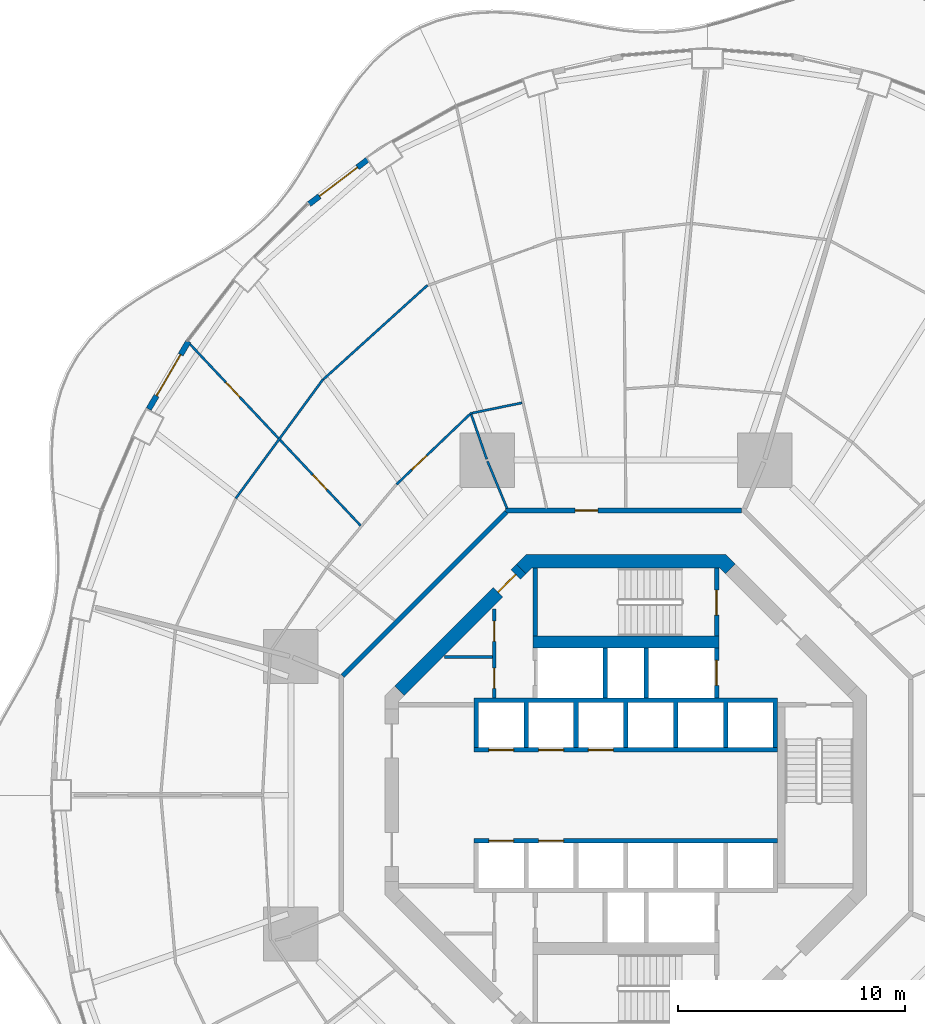
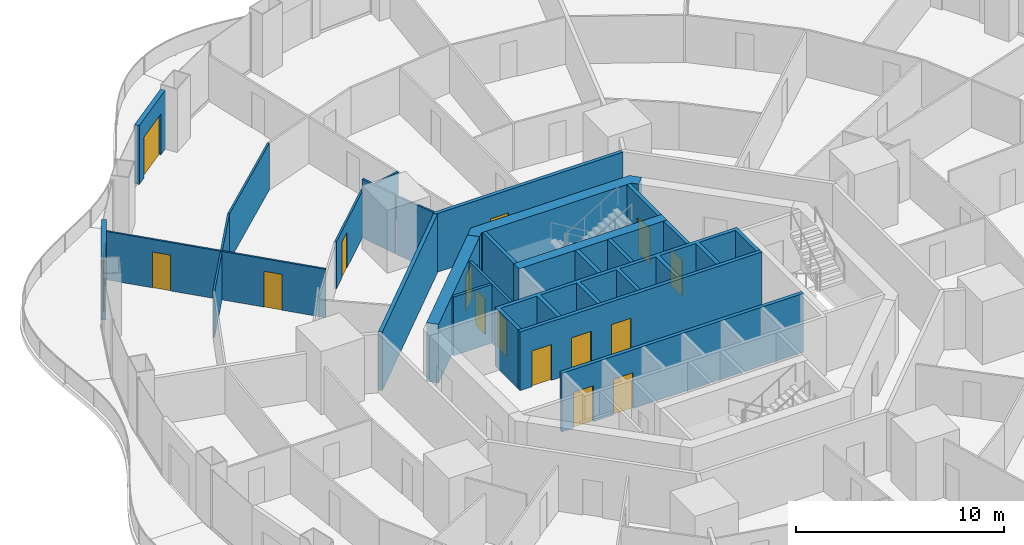
# One storey, part 17 of 22: 24 walls, 16 doors, 16 openings.
"""IFC4 building model written with IfcOpenShell, lengths in metres."""

from ifc_helpers import new_model, si_unit, direction, frame, frame_2d, origin, place, context, subcontext, project, spatial, polyline, rectangle, outline, extrude, material, layer, layer_set, type_object, element, fill, save


model = new_model("IFC4")

# Units and contexts
model_context = context("Model", 3, precision=1e-05, world=origin(), true_north=direction((0.0, 1.0)))
body_context = subcontext(model_context, "Body", "Model", "MODEL_VIEW")
ifc_project = project(units=[si_unit("LENGTHUNIT", "METRE"), si_unit("AREAUNIT", "SQUARE_METRE"), si_unit("VOLUMEUNIT", "CUBIC_METRE"), si_unit("PLANEANGLEUNIT", "RADIAN"), si_unit("MASSUNIT", "GRAM", prefix="KILO")], contexts=[model_context])

# Site, building, storey
site_placement = place(None, origin())
site = spatial("IfcSite", under=ifc_project, at=site_placement, CompositionType="ELEMENT")
building_placement = place(site_placement, origin())
building = spatial("IfcBuilding", under=site, at=building_placement, Name="Nagisa Residences", CompositionType="ELEMENT")
storey_placement = place(building_placement, frame((0.0, 0.0, 30.699951171875)))
storey = spatial("IfcBuildingStorey", under=building, at=storey_placement, Name="L06", CompositionType="ELEMENT", Elevation=30.699951171875)

# Wall, opening, door
ifc_material_1 = material(Name="Gypsum board on steel studs", Category="steel")
ifc_layer_1 = layer(ifc_material_1, 0.199951171875)
ifc_layer_set_1 = layer_set([ifc_layer_1], Name="Apartment entry wall EI60 200")
wall_type_1 = type_object("IfcWallType", Name="Apartment entry wall EI60 200", PredefinedType="PARTITIONING", material=ifc_layer_set_1)
wall_1_placement = place(storey_placement, frame((5.1044921875, 12.564697265625, 0.0), z_axis=(0.0, 0.0, 1.0), x_axis=(-1.0, 0.0, 0.0)))
wall_1 = element("IfcWall", 1, at=wall_1_placement, inside=storey, type_object=wall_type_1, Name="wall:L06:u10", PredefinedType="PARTITIONING", context=body_context, shape_type="SweptSolid", body=[
    extrude(rectangle(XDim=10.408935546875, YDim=0.199951171875, at=frame_2d((5.20458984375, 0.0))), origin(), (0.0, 0.0, 1.0), 3.43994140625),
])
opening_1_placement = place(wall_1_placement, frame((6.33935546875, 0.0, 0.0)))
opening_1 = element("IfcOpeningElement", 2, at=opening_1_placement, cuts=wall_1, Name="Opening L06-U15", PredefinedType="OPENING", context=body_context, shape_type="SweptSolid", body=[
    extrude(rectangle(XDim=1.0, YDim=2.10009765625, at=frame_2d((0.5, 1.050048828125))), frame((0.0, 0.10986328125, 0.0), z_axis=(0.0, -1.0, 0.0), x_axis=(1.0, 0.0, 0.0)), (0.0, 0.0, 1.0), 0.219970703125),
])
ifc_material_2 = material(Name="Timber fire door set", Category="wood")
door_type_1 = type_object("IfcDoorType", Name="Apartment entry door FD30S 1000x2100", OperationType="NOTDEFINED", PredefinedType="DOOR", material=ifc_material_2)
door_1_placement = place(opening_1_placement, frame((1.0, 0.0, 0.0), x_axis=(-1.0, 0.0, 0.0)))
door_1 = element("IfcDoor", 3, at=door_1_placement, inside=storey, type_object=door_type_1, Name="Entry door, Apartment 06B", OperationType="SINGLE_SWING_RIGHT", OverallHeight=2.10009765625, OverallWidth=1.0, PredefinedType="DOOR", context=body_context, shape_type="SweptSolid", body=[
    extrude(rectangle(XDim=1.0, YDim=2.10009765625, at=frame_2d((0.5, 1.050048828125))), frame((0.0, 0.02490234375, 0.0), z_axis=(0.0, -1.0, 0.0), x_axis=(1.0, 0.0, 0.0)), (0.0, 0.0, 1.0), 0.050048828125),
])
fill(opening_1, door_1)

# Walls
wall_2_placement = place(storey_placement, frame((-5.275146484375, 12.494140625, 0.0), z_axis=(0.0, 0.0, 1.0), x_axis=(-0.707106781187, -0.707106781187, 0.0)))
element("IfcWall", 4, at=wall_2_placement, inside=storey, type_object=wall_type_1, Name="wall:L06:u11", PredefinedType="PARTITIONING", context=body_context, shape_type="SweptSolid", body=[
    extrude(rectangle(XDim=10.209228515625, YDim=0.199951171875, at=frame_2d((5.1044921875, 0.0))), origin(), (0.0, 0.0, 1.0), 3.43994140625),
])
ifc_material_3 = material(Name="Gypsum board on steel studs", Category="steel")
ifc_layer_2 = layer(ifc_material_3, 0.10009765625)
ifc_layer_set_2 = layer_set([ifc_layer_2], Name="Apartment partition 100")
wall_type_2 = type_object("IfcWallType", Name="Apartment partition 100", PredefinedType="PARTITIONING", material=ifc_layer_set_2)
wall_3_placement = place(storey_placement, frame((-4.580322265625, 17.315185546875, 0.0), z_axis=(0.0, 0.0, 1.0), x_axis=(-0.979581941859, -0.201045316246, 0.0)))
element("IfcWall", 5, at=wall_3_placement, inside=storey, type_object=wall_type_2, Name="wall:L06:u45", PredefinedType="PARTITIONING", context=body_context, shape_type="SweptSolid", body=[
    extrude(rectangle(XDim=2.25634765625, YDim=0.10009765625, at=frame_2d((1.128173828125, 0.0))), origin(), (0.0, 0.0, 1.0), 2.756103515625),
])
wall_4_placement = place(storey_placement, frame((-5.24267578125, 12.6572265625, 0.0), z_axis=(0.0, 0.0, 1.0), x_axis=(-0.382719158442, 0.923864733477, 0.0)))
element("IfcWall", 6, at=wall_4_placement, inside=storey, type_object=wall_type_2, Name="wall:L06:u46", PredefinedType="PARTITIONING", context=body_context, shape_type="SweptSolid", body=[
    extrude(rectangle(XDim=2.25, YDim=0.10009765625, at=frame_2d((1.125, 0.0))), origin(), (0.0, 0.0, 1.0), 3.43994140625),
])
wall_5_placement = place(storey_placement, frame((-6.139404296875, 14.829833984375, 0.0), z_axis=(0.0, 0.0, 1.0), x_axis=(-0.327246993321, 0.944938836837, 0.0)))
element("IfcWall", 7, at=wall_5_placement, inside=storey, type_object=wall_type_2, Name="wall:L06:u47", PredefinedType="PARTITIONING", context=body_context, shape_type="SweptSolid", body=[
    extrude(rectangle(XDim=2.089599609375, YDim=0.10009765625, at=frame_2d((1.044921875, 0.0))), origin(), (0.0, 0.0, 1.0), 3.43994140625),
])

# Wall, opening, door
wall_6_placement = place(storey_placement, frame((-6.803466796875, 16.88623046875, 0.0), z_axis=(0.0, 0.0, 1.0), x_axis=(-0.722763212502, -0.69109575216, 0.0)))
wall_6 = element("IfcWall", 8, at=wall_6_placement, inside=storey, type_object=wall_type_2, Name="wall:L06:u48", PredefinedType="PARTITIONING", context=body_context, shape_type="SweptSolid", body=[
    extrude(rectangle(XDim=4.587158203125, YDim=0.10009765625, at=frame_2d((2.29345703125, 0.0))), origin(), (0.0, 0.0, 1.0), 2.756103515625),
])
opening_2_placement = place(wall_6_placement, frame((2.74951171875, 0.0, 0.0)))
opening_2 = element("IfcOpeningElement", 9, at=opening_2_placement, cuts=wall_6, Name="Opening L06-U26", PredefinedType="OPENING", context=body_context, shape_type="SweptSolid", body=[
    extrude(rectangle(XDim=0.89990234375, YDim=2.10009765625, at=frame_2d((0.449951171875, 1.050048828125))), frame((0.0, 0.06005859375, 0.0), z_axis=(0.0, -1.0, 0.0), x_axis=(1.0, 0.0, 0.0)), (0.0, 0.0, 1.0), 0.1201171875),
])
ifc_material_4 = material(Name="Timber door set", Category="wood")
door_type_2 = type_object("IfcDoorType", Name="Apartment door 900x2100", OperationType="NOTDEFINED", PredefinedType="DOOR", material=ifc_material_4)
door_2_placement = place(opening_2_placement, origin())
door_2 = element("IfcDoor", 10, at=door_2_placement, inside=storey, type_object=door_type_2, Name="Door to store, Apartment 06B", OperationType="SINGLE_SWING_RIGHT", OverallHeight=2.10009765625, OverallWidth=0.89990234375, PredefinedType="DOOR", context=body_context, shape_type="SweptSolid", body=[
    extrude(rectangle(XDim=0.89990234375, YDim=2.10009765625, at=frame_2d((0.449951171875, 1.050048828125))), frame((0.0, 0.02490234375, 0.0), z_axis=(0.0, -1.0, 0.0), x_axis=(1.0, 0.0, 0.0)), (0.0, 0.0, 1.0), 0.050048828125),
])
fill(opening_2, door_2)

# Walls
wall_7_placement = place(storey_placement, frame((-8.749267578125, 22.5078125, 0.0), z_axis=(0.0, 0.0, 1.0), x_axis=(-0.741720189244, -0.670709445936, 0.0)))
element("IfcWall", 11, at=wall_7_placement, inside=storey, type_object=wall_type_2, Name="wall:L06:u49", PredefinedType="PARTITIONING", context=body_context, shape_type="SweptSolid", body=[
    extrude(rectangle(XDim=6.209228515625, YDim=0.10009765625, at=frame_2d((3.1044921875, 0.0))), origin(), (0.0, 0.0, 1.0), 2.756103515625),
])
wall_8_placement = place(storey_placement, frame((-13.3623046875, 18.35009765625, 0.0), z_axis=(0.0, 0.0, 1.0), x_axis=(-0.591191311491, -0.806531359104, 0.0)))
element("IfcWall", 12, at=wall_8_placement, inside=storey, type_object=wall_type_2, Name="wall:L06:u51", PredefinedType="PARTITIONING", context=body_context, shape_type="SweptSolid", body=[
    extrude(rectangle(XDim=6.510009765625, YDim=0.10009765625, at=frame_2d((3.2548828125, 0.0))), origin(), (0.0, 0.0, 1.0), 2.756103515625),
])

# Wall, openings, doors
wall_9_placement = place(storey_placement, frame((-11.706787109375, 11.89990234375, 0.0), z_axis=(0.0, 0.0, 1.0), x_axis=(-0.685030806147, 0.728514100501, 0.0)))
wall_9 = element("IfcWall", 13, at=wall_9_placement, inside=storey, type_object=wall_type_2, Name="wall:L06:u52", PredefinedType="PARTITIONING", context=body_context, shape_type="SweptSolid", body=[
    extrude(rectangle(XDim=11.201171875, YDim=0.10009765625, at=frame_2d((5.6005859375, 0.0))), origin(), (0.0, 0.0, 1.0), 2.837158203125),
])
opening_3_placement = place(wall_9_placement, frame((2.16943359375, 0.0, 0.0)))
opening_3 = element("IfcOpeningElement", 14, at=opening_3_placement, cuts=wall_9, Name="Opening L06-U21", PredefinedType="OPENING", context=body_context, shape_type="SweptSolid", body=[
    extrude(rectangle(XDim=0.89990234375, YDim=2.10009765625, at=frame_2d((0.449951171875, 1.050048828125))), frame((0.0, 0.06005859375, 0.0), z_axis=(0.0, -1.0, 0.0), x_axis=(1.0, 0.0, 0.0)), (0.0, 0.0, 1.0), 0.1201171875),
])
opening_4_placement = place(wall_9_placement, frame((7.77001953125, 0.0, 0.0)))
opening_4 = element("IfcOpeningElement", 15, at=opening_4_placement, cuts=wall_9, Name="Opening L06-U25", PredefinedType="OPENING", context=body_context, shape_type="SweptSolid", body=[
    extrude(rectangle(XDim=0.89990234375, YDim=2.10009765625, at=frame_2d((0.449951171875, 1.050048828125))), frame((0.0, 0.06005859375, 0.0), z_axis=(0.0, -1.0, 0.0), x_axis=(1.0, 0.0, 0.0)), (0.0, 0.0, 1.0), 0.1201171875),
])
door_3_placement = place(opening_3_placement, origin())
door_3 = element("IfcDoor", 16, at=door_3_placement, inside=storey, type_object=door_type_2, Name="Door to study, Apartment 06B", OperationType="SINGLE_SWING_LEFT", OverallHeight=2.10009765625, OverallWidth=0.89990234375, PredefinedType="DOOR", context=body_context, shape_type="SweptSolid", body=[
    extrude(rectangle(XDim=0.89990234375, YDim=2.10009765625, at=frame_2d((0.449951171875, 1.050048828125))), frame((0.0, 0.02490234375, 0.0), z_axis=(0.0, -1.0, 0.0), x_axis=(1.0, 0.0, 0.0)), (0.0, 0.0, 1.0), 0.050048828125),
])
fill(opening_3, door_3)
door_4_placement = place(opening_4_placement, origin())
door_4 = element("IfcDoor", 17, at=door_4_placement, inside=storey, type_object=door_type_2, Name="Door to master bedroom, Apartment 06B", OperationType="SINGLE_SWING_LEFT", OverallHeight=2.10009765625, OverallWidth=0.89990234375, PredefinedType="DOOR", context=body_context, shape_type="SweptSolid", body=[
    extrude(rectangle(XDim=0.89990234375, YDim=2.10009765625, at=frame_2d((0.449951171875, 1.050048828125))), frame((0.0, 0.02490234375, 0.0), z_axis=(0.0, -1.0, 0.0), x_axis=(1.0, 0.0, 0.0)), (0.0, 0.0, 1.0), 0.050048828125),
])
fill(opening_4, door_4)

# Wall, opening, door
ifc_material_5 = material(Name="Precast concrete C40/50", Category="concrete")
ifc_layer_3 = layer(ifc_material_5, 0.25)
ifc_layer_set_3 = layer_set([ifc_layer_3], Name="BALCONY DOOR WALL 250")
wall_type_3 = type_object("IfcWallType", Name="BALCONY DOOR WALL 250", PredefinedType="SOLIDWALL", material=ifc_layer_set_3)
wall_10_placement = place(storey_placement, frame((-13.978515625, 26.0810546875, 0.0), z_axis=(0.0, 0.0, 1.0), x_axis=(0.796022293214, 0.605267303517, 0.0)))
wall_10 = element("IfcWall", 18, at=wall_10_placement, inside=storey, type_object=wall_type_3, Name="wall:L06:bay16", PredefinedType="SOLIDWALL", context=body_context, shape_type="SweptSolid", body=[
    extrude(rectangle(XDim=3.262451171875, YDim=0.25, at=frame_2d((1.63134765625, 0.0))), origin(), (0.0, 0.0, 1.0), 3.43994140625),
])
opening_5_placement = place(wall_10_placement, frame((0.5810546875, 0.0, 0.0)))
opening_5 = element("IfcOpeningElement", 19, at=opening_5_placement, cuts=wall_10, Name="Opening BD-L06-06", PredefinedType="OPENING", context=body_context, shape_type="SweptSolid", body=[
    extrude(rectangle(XDim=2.10009765625, YDim=2.39990234375, at=frame_2d((1.050048828125, 1.199951171875))), frame((0.0, 0.135009765625, 0.0), z_axis=(0.0, -1.0, 0.0), x_axis=(1.0, 0.0, 0.0)), (0.0, 0.0, 1.0), 0.27001953125),
])
ifc_material_6 = material(Name="Aluminium and clear glass", Category="aluminium")
door_type_3 = type_object("IfcDoorType", Name="BALCONY SLIDING DOOR 2100x2400", OperationType="SLIDING_TO_LEFT", PredefinedType="DOOR", material=ifc_material_6)
door_5_placement = place(opening_5_placement, origin())
door_5 = element("IfcDoor", 20, at=door_5_placement, inside=storey, type_object=door_type_3, Name="door:L06:bay16", OperationType="SLIDING_TO_LEFT", OverallHeight=2.39990234375, OverallWidth=2.10009765625, PredefinedType="DOOR", context=body_context, shape_type="SweptSolid", body=[
    extrude(rectangle(XDim=2.10009765625, YDim=2.39990234375, at=frame_2d((1.050048828125, 1.199951171875))), frame((0.0, 0.02490234375, 0.0), z_axis=(0.0, -1.0, 0.0), x_axis=(1.0, 0.0, 0.0)), (0.0, 0.0, 1.0), 0.050048828125),
])
fill(opening_5, door_5)

wall_11_placement = place(storey_placement, frame((-21.052490234375, 17.040283203125, 0.0), z_axis=(0.0, 0.0, 1.0), x_axis=(0.506311160839, 0.862350861546, 0.0)))
wall_11 = element("IfcWall", 21, at=wall_11_placement, inside=storey, type_object=wall_type_3, Name="wall:L06:bay19", PredefinedType="SOLIDWALL", context=body_context, shape_type="SweptSolid", body=[
    extrude(rectangle(XDim=3.462158203125, YDim=0.25, at=frame_2d((1.73095703125, 0.0))), origin(), (0.0, 0.0, 1.0), 3.43994140625),
])
opening_6_placement = place(wall_11_placement, frame((0.68115234375, 0.0, 0.0)))
opening_6 = element("IfcOpeningElement", 22, at=opening_6_placement, cuts=wall_11, Name="Opening BD-L06-07", PredefinedType="OPENING", context=body_context, shape_type="SweptSolid", body=[
    extrude(rectangle(XDim=2.10009765625, YDim=2.39990234375, at=frame_2d((1.050048828125, 1.199951171875))), frame((0.0, 0.135009765625, 0.0), z_axis=(0.0, -1.0, 0.0), x_axis=(1.0, 0.0, 0.0)), (0.0, 0.0, 1.0), 0.27001953125),
])
door_6_placement = place(opening_6_placement, origin())
door_6 = element("IfcDoor", 23, at=door_6_placement, inside=storey, type_object=door_type_3, Name="door:L06:bay19", OperationType="SLIDING_TO_LEFT", OverallHeight=2.39990234375, OverallWidth=2.10009765625, PredefinedType="DOOR", context=body_context, shape_type="SweptSolid", body=[
    extrude(rectangle(XDim=2.10009765625, YDim=2.39990234375, at=frame_2d((1.050048828125, 1.199951171875))), frame((0.0, 0.02490234375, 0.0), z_axis=(0.0, -1.0, 0.0), x_axis=(1.0, 0.0, 0.0)), (0.0, 0.0, 1.0), 0.050048828125),
])
fill(opening_6, door_6)

# Wall, openings, doors
ifc_material_7 = material(Name="Gypsum board on steel studs", Category="steel")
ifc_layer_4 = layer(ifc_material_7, 0.14990234375)
ifc_layer_set_4 = layer_set([ifc_layer_4], Name="Core partition 150")
wall_type_4 = type_object("IfcWallType", Name="Core partition 150", PredefinedType="PARTITIONING", material=ifc_layer_set_4)
wall_12_placement = place(storey_placement, frame((-5.800048828125, 4.300048828125, 0.0), z_axis=(0.0, 0.0, 1.0), x_axis=(0.0, 1.0, 0.0)))
wall_12 = element("IfcWall", 24, at=wall_12_placement, inside=storey, type_object=wall_type_4, Name="wall:L06:NWp", PredefinedType="PARTITIONING", context=body_context, shape_type="SweptSolid", body=[
    extrude(rectangle(XDim=3.927001953125, YDim=0.14990234375, at=frame_2d((1.96337890625, 0.0))), origin(), (0.0, 0.0, 1.0), 3.43994140625),
])
opening_7_placement = place(wall_12_placement, frame((0.41259765625, 0.0, 0.0)))
opening_7 = element("IfcOpeningElement", 25, at=opening_7_placement, cuts=wall_12, Name="Opening L06-C12", PredefinedType="OPENING", context=body_context, shape_type="SweptSolid", body=[
    extrude(rectangle(XDim=0.89990234375, YDim=2.10009765625, at=frame_2d((0.449951171875, 1.050048828125))), frame((0.0, 0.0849609375, 0.0), z_axis=(0.0, -1.0, 0.0), x_axis=(1.0, 0.0, 0.0)), (0.0, 0.0, 1.0), 0.169921875),
])
opening_8_placement = place(wall_12_placement, frame((2.488525390625, 0.0, 0.0)))
opening_8 = element("IfcOpeningElement", 26, at=opening_8_placement, cuts=wall_12, Name="Opening L06-C13", PredefinedType="OPENING", context=body_context, shape_type="SweptSolid", body=[
    extrude(rectangle(XDim=0.89990234375, YDim=2.10009765625, at=frame_2d((0.449951171875, 1.050048828125))), frame((0.0, 0.0849609375, 0.0), z_axis=(0.0, -1.0, 0.0), x_axis=(1.0, 0.0, 0.0)), (0.0, 0.0, 1.0), 0.169921875),
])
ifc_material_8 = material(Name="Steel fire door", Category="steel")
door_type_4 = type_object("IfcDoorType", Name="Fire door EI30 900x2100 single swing", OperationType="NOTDEFINED", PredefinedType="DOOR", material=ifc_material_8)
door_7_placement = place(opening_7_placement, origin())
door_7 = element("IfcDoor", 27, at=door_7_placement, inside=storey, type_object=door_type_4, Name="Linen store door L06", OperationType="SINGLE_SWING_LEFT", OverallHeight=2.10009765625, OverallWidth=0.89990234375, PredefinedType="DOOR", context=body_context, shape_type="SweptSolid", body=[
    extrude(rectangle(XDim=0.89990234375, YDim=2.10009765625, at=frame_2d((0.449951171875, 1.050048828125))), frame((0.0, 0.02490234375, 0.0), z_axis=(0.0, -1.0, 0.0), x_axis=(1.0, 0.0, 0.0)), (0.0, 0.0, 1.0), 0.050048828125),
])
fill(opening_7, door_7)
door_8_placement = place(opening_8_placement, origin())
door_8 = element("IfcDoor", 28, at=door_8_placement, inside=storey, type_object=door_type_4, Name="Refuse room door L06", OperationType="SINGLE_SWING_LEFT", OverallHeight=2.10009765625, OverallWidth=0.89990234375, PredefinedType="DOOR", context=body_context, shape_type="SweptSolid", body=[
    extrude(rectangle(XDim=0.89990234375, YDim=2.10009765625, at=frame_2d((0.449951171875, 1.050048828125))), frame((0.0, 0.02490234375, 0.0), z_axis=(0.0, -1.0, 0.0), x_axis=(1.0, 0.0, 0.0)), (0.0, 0.0, 1.0), 0.050048828125),
])
fill(opening_8, door_8)

# Wall
wall_13_placement = place(storey_placement, frame((-8.0009765625, 6.10009765625, 0.0), z_axis=(0.0, 0.0, 1.0), x_axis=(1.0, 0.0, 0.0)))
element("IfcWall", 29, at=wall_13_placement, inside=storey, type_object=wall_type_4, Name="wall:L06:NWq", PredefinedType="PARTITIONING", context=body_context, shape_type="SweptSolid", body=[
    extrude(rectangle(XDim=2.1259765625, YDim=0.14990234375, at=frame_2d((1.06298828125, 0.0))), origin(), (0.0, 0.0, 1.0), 3.43994140625),
])

# Wall, opening, door
ifc_material_9 = material(Name="Concrete C60", Category="concrete")
ifc_layer_5 = layer(ifc_material_9, 0.60009765625)
ifc_layer_set_5 = layer_set([ifc_layer_5], Name="Core shear wall 600")
wall_type_5 = type_object("IfcWallType", Name="Core shear wall 600", PredefinedType="SHEAR", material=ifc_layer_set_5)
wall_14_placement = place(storey_placement, frame((-4.613037109375, 9.98828125, 0.0), z_axis=(0.0, 0.0, 1.0), x_axis=(-0.707106781187, -0.707106781187, 0.0)))
wall_14 = element("IfcWall", 30, at=wall_14_placement, inside=storey, type_object=wall_type_5, Name="wall:L06:core:flat3", PredefinedType="SHEAR", context=body_context, shape_type="SweptSolid", body=[
    extrude(rectangle(XDim=7.601806640625, YDim=0.60009765625, at=frame_2d((3.80078125, 0.0))), origin(), (0.0, 0.0, 1.0), 3.43994140625),
])
opening_9_placement = place(wall_14_placement, frame((0.350830078125, 0.0, 0.0)))
opening_9 = element("IfcOpeningElement", 31, at=opening_9_placement, cuts=wall_14, Name="Opening L06-C21", PredefinedType="OPENING", context=body_context, shape_type="SweptSolid", body=[
    extrude(rectangle(XDim=1.10009765625, YDim=2.10009765625, at=frame_2d((0.550048828125, 1.050048828125))), frame((0.0, 0.31005859375, 0.0), z_axis=(0.0, -1.0, 0.0), x_axis=(1.0, 0.0, 0.0)), (0.0, 0.0, 1.0), 0.6201171875),
])
ifc_material_10 = material(Name="Steel fire door", Category="steel")
door_type_5 = type_object("IfcDoorType", Name="Fire door EI60 1100x2100 single swing", OperationType="NOTDEFINED", PredefinedType="DOOR", material=ifc_material_10)
door_9_placement = place(opening_9_placement, origin())
door_9 = element("IfcDoor", 32, at=door_9_placement, inside=storey, type_object=door_type_5, Name="Service lobby door L06", OperationType="SINGLE_SWING_RIGHT", OverallHeight=2.10009765625, OverallWidth=1.10009765625, PredefinedType="DOOR", context=body_context, shape_type="SweptSolid", body=[
    extrude(rectangle(XDim=1.10009765625, YDim=2.10009765625, at=frame_2d((0.550048828125, 1.050048828125))), frame((0.0, 0.02490234375, 0.0), z_axis=(0.0, -1.0, 0.0), x_axis=(1.0, 0.0, 0.0)), (0.0, 0.0, 1.0), 0.050048828125),
])
fill(opening_9, door_9)

# Wall
wall_15_placement = place(storey_placement, origin())
element("IfcWall", 33, at=wall_15_placement, inside=storey, type_object=wall_type_5, Name="wall:L06:core:flat2", PredefinedType="SHEAR", context=body_context, shape_type="SweptSolid", body=[
    extrude(outline(polyline([(-4.15234375, 10.024658203125), (-4.40087890625, 9.776123046875), (-4.8251953125, 10.200439453125), (-4.40087890625, 10.62451171875), (4.40087890625, 10.62451171875), (4.8251953125, 10.200439453125), (4.40087890625, 9.776123046875), (4.15234375, 10.024658203125), (-4.15234375, 10.024658203125)])), origin(), (0.0, 0.0, 1.0), 3.43994140625),
])

# Wall, opening, door
ifc_material_11 = material(Name="Concrete C60", Category="concrete")
ifc_layer_6 = layer(ifc_material_11, 0.199951171875)
ifc_layer_set_6 = layer_set([ifc_layer_6], Name="Lift shaft wall 200")
wall_type_6 = type_object("IfcWallType", Name="Lift shaft wall 200", PredefinedType="SOLIDWALL", material=ifc_layer_set_6)
wall_16_placement = place(storey_placement, frame((4.0, 4.300048828125, 0.0), z_axis=(0.0, 0.0, 1.0), x_axis=(0.0, 1.0, 0.0)))
wall_16 = element("IfcWall", 34, at=wall_16_placement, inside=storey, type_object=wall_type_6, Name="wall:L06:Nb3", PredefinedType="SOLIDWALL", context=body_context, shape_type="SweptSolid", body=[
    extrude(rectangle(XDim=2.199951171875, YDim=0.199951171875, at=frame_2d((1.10009765625, 0.0))), origin(), (0.0, 0.0, 1.0), 3.43994140625),
])
opening_10_placement = place(wall_16_placement, frame((0.550048828125, 0.0, 0.0)))
opening_10 = element("IfcOpeningElement", 35, at=opening_10_placement, cuts=wall_16, Name="Opening L06-C06", PredefinedType="OPENING", context=body_context, shape_type="SweptSolid", body=[
    extrude(rectangle(XDim=1.10009765625, YDim=2.10009765625, at=frame_2d((0.550048828125, 1.050048828125))), frame((0.0, 0.10986328125, 0.0), z_axis=(0.0, -1.0, 0.0), x_axis=(1.0, 0.0, 0.0)), (0.0, 0.0, 1.0), 0.219970703125),
])
ifc_material_12 = material(Name="Stainless steel", Category="steel")
door_type_6 = type_object("IfcDoorType", Name="Lift landing door 1100x2100", OperationType="DOUBLE_DOOR_SLIDING", PredefinedType="DOOR", material=ifc_material_12)
door_10_placement = place(opening_10_placement, origin())
door_10 = element("IfcDoor", 36, at=door_10_placement, inside=storey, type_object=door_type_6, Name="Landing door FL1 L06", OperationType="DOUBLE_DOOR_SLIDING", OverallHeight=2.10009765625, OverallWidth=1.10009765625, PredefinedType="DOOR", context=body_context, shape_type="SweptSolid", body=[
    extrude(rectangle(XDim=1.10009765625, YDim=2.10009765625, at=frame_2d((0.550048828125, 1.050048828125))), frame((0.0, 0.02490234375, 0.0), z_axis=(0.0, -1.0, 0.0), x_axis=(1.0, 0.0, 0.0)), (0.0, 0.0, 1.0), 0.050048828125),
])
fill(opening_10, door_10)

# Wall, openings, doors
wall_17_placement = place(storey_placement, frame((-6.699951171875, 2.0, 0.0), z_axis=(0.0, 0.0, 1.0), x_axis=(1.0, 0.0, 0.0)))
wall_17 = element("IfcWall", 37, at=wall_17_placement, inside=storey, type_object=wall_type_6, Name="wall:L06:Nfront", PredefinedType="SOLIDWALL", context=body_context, shape_type="SweptSolid", body=[
    extrude(rectangle(XDim=13.39990234375, YDim=0.199951171875, at=frame_2d((6.699951171875, 0.0))), origin(), (0.0, 0.0, 1.0), 3.43994140625),
])
opening_11_placement = place(wall_17_placement, frame((0.64990234375, 0.0, 0.0)))
opening_11 = element("IfcOpeningElement", 38, at=opening_11_placement, cuts=wall_17, Name="Opening L06-C01", PredefinedType="OPENING", context=body_context, shape_type="SweptSolid", body=[
    extrude(rectangle(XDim=1.10009765625, YDim=2.10009765625, at=frame_2d((0.550048828125, 1.050048828125))), frame((0.0, 0.10986328125, 0.0), z_axis=(0.0, -1.0, 0.0), x_axis=(1.0, 0.0, 0.0)), (0.0, 0.0, 1.0), 0.219970703125),
])
opening_12_placement = place(wall_17_placement, frame((2.85009765625, 0.0, 0.0)))
opening_12 = element("IfcOpeningElement", 39, at=opening_12_placement, cuts=wall_17, Name="Opening L06-C02", PredefinedType="OPENING", context=body_context, shape_type="SweptSolid", body=[
    extrude(rectangle(XDim=1.10009765625, YDim=2.10009765625, at=frame_2d((0.550048828125, 1.050048828125))), frame((0.0, 0.10986328125, 0.0), z_axis=(0.0, -1.0, 0.0), x_axis=(1.0, 0.0, 0.0)), (0.0, 0.0, 1.0), 0.219970703125),
])
opening_13_placement = place(wall_17_placement, frame((5.050048828125, 0.0, 0.0)))
opening_13 = element("IfcOpeningElement", 40, at=opening_13_placement, cuts=wall_17, Name="Opening L06-C03", PredefinedType="OPENING", context=body_context, shape_type="SweptSolid", body=[
    extrude(rectangle(XDim=1.10009765625, YDim=2.10009765625, at=frame_2d((0.550048828125, 1.050048828125))), frame((0.0, 0.10986328125, 0.0), z_axis=(0.0, -1.0, 0.0), x_axis=(1.0, 0.0, 0.0)), (0.0, 0.0, 1.0), 0.219970703125),
])
door_11_placement = place(opening_11_placement, origin())
door_11 = element("IfcDoor", 41, at=door_11_placement, inside=storey, type_object=door_type_6, Name="Landing door A1 L06", OperationType="DOUBLE_DOOR_SLIDING", OverallHeight=2.10009765625, OverallWidth=1.10009765625, PredefinedType="DOOR", context=body_context, shape_type="SweptSolid", body=[
    extrude(rectangle(XDim=1.10009765625, YDim=2.10009765625, at=frame_2d((0.550048828125, 1.050048828125))), frame((0.0, 0.02490234375, 0.0), z_axis=(0.0, -1.0, 0.0), x_axis=(1.0, 0.0, 0.0)), (0.0, 0.0, 1.0), 0.050048828125),
])
fill(opening_11, door_11)
door_12_placement = place(opening_12_placement, origin())
door_12 = element("IfcDoor", 42, at=door_12_placement, inside=storey, type_object=door_type_6, Name="Landing door A2 L06", OperationType="DOUBLE_DOOR_SLIDING", OverallHeight=2.10009765625, OverallWidth=1.10009765625, PredefinedType="DOOR", context=body_context, shape_type="SweptSolid", body=[
    extrude(rectangle(XDim=1.10009765625, YDim=2.10009765625, at=frame_2d((0.550048828125, 1.050048828125))), frame((0.0, 0.02490234375, 0.0), z_axis=(0.0, -1.0, 0.0), x_axis=(1.0, 0.0, 0.0)), (0.0, 0.0, 1.0), 0.050048828125),
])
fill(opening_12, door_12)
door_13_placement = place(opening_13_placement, origin())
door_13 = element("IfcDoor", 43, at=door_13_placement, inside=storey, type_object=door_type_6, Name="Landing door A3 L06", OperationType="DOUBLE_DOOR_SLIDING", OverallHeight=2.10009765625, OverallWidth=1.10009765625, PredefinedType="DOOR", context=body_context, shape_type="SweptSolid", body=[
    extrude(rectangle(XDim=1.10009765625, YDim=2.10009765625, at=frame_2d((0.550048828125, 1.050048828125))), frame((0.0, 0.02490234375, 0.0), z_axis=(0.0, -1.0, 0.0), x_axis=(1.0, 0.0, 0.0)), (0.0, 0.0, 1.0), 0.050048828125),
])
fill(opening_13, door_13)

wall_18_placement = place(storey_placement, frame((-6.699951171875, -2.0, 0.0), z_axis=(0.0, 0.0, 1.0), x_axis=(1.0, 0.0, 0.0)))
wall_18 = element("IfcWall", 44, at=wall_18_placement, inside=storey, type_object=wall_type_6, Name="wall:L06:Sfront", PredefinedType="SOLIDWALL", context=body_context, shape_type="SweptSolid", body=[
    extrude(rectangle(XDim=13.39990234375, YDim=0.199951171875, at=frame_2d((6.699951171875, 0.0))), origin(), (0.0, 0.0, 1.0), 3.43994140625),
])
opening_14_placement = place(wall_18_placement, frame((0.64990234375, 0.0, 0.0)))
opening_14 = element("IfcOpeningElement", 45, at=opening_14_placement, cuts=wall_18, Name="Opening L06-C04", PredefinedType="OPENING", context=body_context, shape_type="SweptSolid", body=[
    extrude(rectangle(XDim=1.10009765625, YDim=2.10009765625, at=frame_2d((0.550048828125, 1.050048828125))), frame((0.0, 0.10986328125, 0.0), z_axis=(0.0, -1.0, 0.0), x_axis=(1.0, 0.0, 0.0)), (0.0, 0.0, 1.0), 0.219970703125),
])
opening_15_placement = place(wall_18_placement, frame((2.85009765625, 0.0, 0.0)))
opening_15 = element("IfcOpeningElement", 46, at=opening_15_placement, cuts=wall_18, Name="Opening L06-C05", PredefinedType="OPENING", context=body_context, shape_type="SweptSolid", body=[
    extrude(rectangle(XDim=1.10009765625, YDim=2.10009765625, at=frame_2d((0.550048828125, 1.050048828125))), frame((0.0, 0.10986328125, 0.0), z_axis=(0.0, -1.0, 0.0), x_axis=(1.0, 0.0, 0.0)), (0.0, 0.0, 1.0), 0.219970703125),
])
door_14_placement = place(opening_14_placement, origin())
door_14 = element("IfcDoor", 47, at=door_14_placement, inside=storey, type_object=door_type_6, Name="Landing door A4 L06", OperationType="DOUBLE_DOOR_SLIDING", OverallHeight=2.10009765625, OverallWidth=1.10009765625, PredefinedType="DOOR", context=body_context, shape_type="SweptSolid", body=[
    extrude(rectangle(XDim=1.10009765625, YDim=2.10009765625, at=frame_2d((0.550048828125, 1.050048828125))), frame((0.0, 0.02490234375, 0.0), z_axis=(0.0, -1.0, 0.0), x_axis=(1.0, 0.0, 0.0)), (0.0, 0.0, 1.0), 0.050048828125),
])
fill(opening_14, door_14)
door_15_placement = place(opening_15_placement, origin())
door_15 = element("IfcDoor", 48, at=door_15_placement, inside=storey, type_object=door_type_6, Name="Landing door A5 L06", OperationType="DOUBLE_DOOR_SLIDING", OverallHeight=2.10009765625, OverallWidth=1.10009765625, PredefinedType="DOOR", context=body_context, shape_type="SweptSolid", body=[
    extrude(rectangle(XDim=1.10009765625, YDim=2.10009765625, at=frame_2d((0.550048828125, 1.050048828125))), frame((0.0, 0.02490234375, 0.0), z_axis=(0.0, -1.0, 0.0), x_axis=(1.0, 0.0, 0.0)), (0.0, 0.0, 1.0), 0.050048828125),
])
fill(opening_15, door_15)

# Walls
for number, where, z_axis, x_axis, name in (
    (49, (-0.89990234375, 4.300048828125, 0.0), (0.0, 0.0, 1.0), (0.0, 1.0, 0.0), "wall:L06:Nb1"),
    (50, (0.89990234375, 4.300048828125, 0.0), (0.0, 0.0, 1.0), (0.0, 1.0, 0.0), "wall:L06:Nb2"),
):
    element("IfcWall", number, at=place(storey_placement, frame(where, z_axis=z_axis, x_axis=x_axis)), inside=storey, type_object=wall_type_6, Name=name, PredefinedType="SOLIDWALL", context=body_context, shape_type="SweptSolid", body=[
        extrude(rectangle(XDim=2.199951171875, YDim=0.199951171875, at=frame_2d((1.10009765625, 0.0))), origin(), (0.0, 0.0, 1.0), 3.43994140625),
    ])
wall_19_placement = place(storey_placement, origin())
element("IfcWall", 51, at=wall_19_placement, inside=storey, type_object=wall_type_6, Name="wall:L06:Nback", PredefinedType="SOLIDWALL", context=body_context, shape_type="SweptSolid", body=[
    extrude(outline(polyline([(-6.5, 2.10009765625), (-6.699951171875, 2.10009765625), (-6.699951171875, 4.300048828125), (6.699951171875, 4.300048828125), (6.699951171875, 2.10009765625), (6.5, 2.10009765625), (6.5, 4.10009765625), (4.5, 4.10009765625), (4.5, 2.10009765625), (4.300048828125, 2.10009765625), (4.300048828125, 4.10009765625), (2.300048828125, 4.10009765625), (2.300048828125, 2.10009765625), (2.10009765625, 2.10009765625), (2.10009765625, 4.10009765625), (0.10009765625, 4.10009765625), (0.10009765625, 2.10009765625), (-0.10009765625, 2.10009765625), (-0.10009765625, 4.10009765625), (-2.10009765625, 4.10009765625), (-2.10009765625, 2.10009765625), (-2.300048828125, 2.10009765625), (-2.300048828125, 4.10009765625), (-4.300048828125, 4.10009765625), (-4.300048828125, 2.10009765625), (-4.5, 2.10009765625), (-4.5, 4.10009765625), (-6.5, 4.10009765625), (-6.5, 2.10009765625)])), origin(), (0.0, 0.0, 1.0), 3.43994140625),
])

# Wall, opening, door
ifc_material_13 = material(Name="Concrete C60", Category="concrete")
ifc_layer_7 = layer(ifc_material_13, 0.199951171875)
ifc_layer_set_7 = layer_set([ifc_layer_7], Name="Stair enclosure wall 200")
wall_type_7 = type_object("IfcWallType", Name="Stair enclosure wall 200", PredefinedType="SOLIDWALL", material=ifc_layer_set_7)
wall_20_placement = place(storey_placement, frame((4.0, 7.024658203125, 0.0), z_axis=(0.0, 0.0, 1.0), x_axis=(0.0, 1.0, 0.0)))
wall_20 = element("IfcWall", 52, at=wall_20_placement, inside=storey, type_object=wall_type_7, Name="wall:L06:SN_e", PredefinedType="SOLIDWALL", context=body_context, shape_type="SweptSolid", body=[
    extrude(rectangle(XDim=3.0, YDim=0.199951171875, at=frame_2d((1.5, 0.0))), origin(), (0.0, 0.0, 1.0), 3.43994140625),
])
opening_16_placement = place(wall_20_placement, frame((0.92529296875, 0.0, 0.0)))
opening_16 = element("IfcOpeningElement", 53, at=opening_16_placement, cuts=wall_20, Name="Opening L06-C10", PredefinedType="OPENING", context=body_context, shape_type="SweptSolid", body=[
    extrude(rectangle(XDim=1.10009765625, YDim=2.10009765625, at=frame_2d((0.550048828125, 1.050048828125))), frame((0.0, 0.10986328125, 0.0), z_axis=(0.0, -1.0, 0.0), x_axis=(1.0, 0.0, 0.0)), (0.0, 0.0, 1.0), 0.219970703125),
])
ifc_material_14 = material(Name="Steel fire door", Category="steel")
door_type_7 = type_object("IfcDoorType", Name="Fire door EI90 1100x2100 single swing", OperationType="NOTDEFINED", PredefinedType="DOOR", material=ifc_material_14)
door_16_placement = place(opening_16_placement, origin())
door_16 = element("IfcDoor", 54, at=door_16_placement, inside=storey, type_object=door_type_7, Name="Stair door ST-N L06", OperationType="SINGLE_SWING_RIGHT", OverallHeight=2.10009765625, OverallWidth=1.10009765625, PredefinedType="DOOR", context=body_context, shape_type="SweptSolid", body=[
    extrude(rectangle(XDim=1.10009765625, YDim=2.10009765625, at=frame_2d((0.550048828125, 1.050048828125))), frame((0.0, 0.02490234375, 0.0), z_axis=(0.0, -1.0, 0.0), x_axis=(1.0, 0.0, 0.0)), (0.0, 0.0, 1.0), 0.050048828125),
])
fill(opening_16, door_16)

# Walls
wall_21_placement = place(storey_placement, origin())
element("IfcWall", 55, at=wall_21_placement, inside=storey, type_object=wall_type_7, Name="wall:L06:SN_w", PredefinedType="SOLIDWALL", context=body_context, shape_type="SweptSolid", body=[
    extrude(outline(polyline([(-3.89990234375, 7.024658203125), (-4.10009765625, 7.024658203125), (-4.10009765625, 10.024658203125), (-3.89990234375, 10.024658203125), (-3.89990234375, 7.024658203125)])), origin(), (0.0, 0.0, 1.0), 3.43994140625),
])
wall_22_placement = place(storey_placement, origin())
element("IfcWall", 56, at=wall_22_placement, inside=storey, type_object=wall_type_7, Name="wall:L06:SN_s", PredefinedType="SOLIDWALL", context=body_context, shape_type="SweptSolid", body=[
    extrude(outline(polyline([(4.10009765625, 6.5), (-4.10009765625, 6.5), (-4.10009765625, 7.024658203125), (4.10009765625, 7.024658203125), (4.10009765625, 6.5)])), origin(), (0.0, 0.0, 1.0), 3.43994140625),
])

save(model, "model.ifc")
